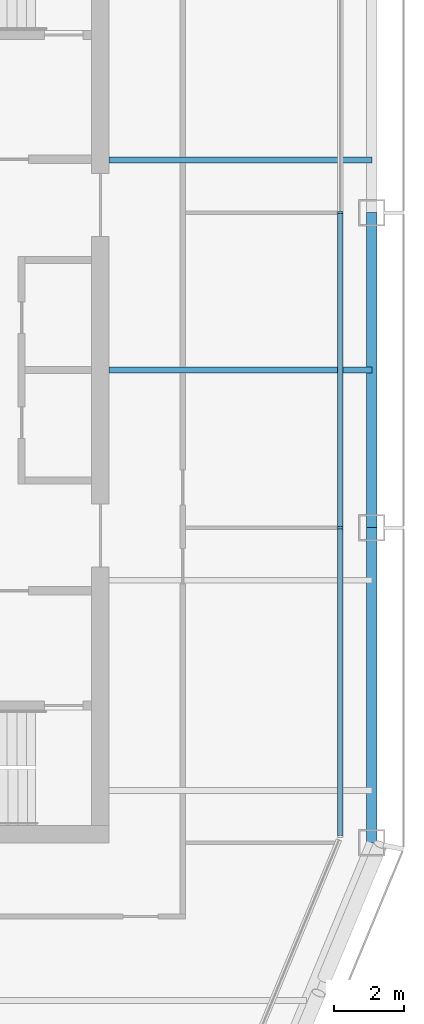
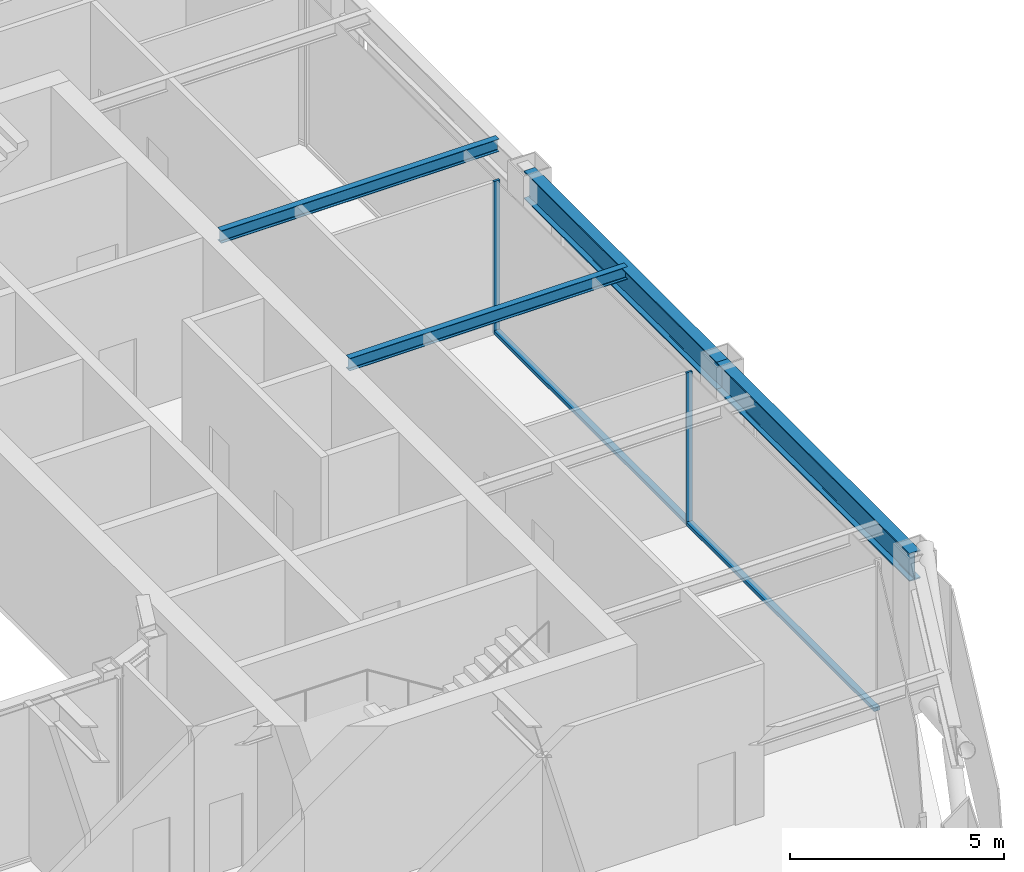
# One storey, part 5 of 21: 4 beams, 4 members, 1 element without a shape of its own.
"""IFC4 building model written with IfcOpenShell, lengths in metres."""

from ifc_helpers import new_model, si_unit, direction, frame, origin, origin_2d, place, context, subcontext, project, spatial, rectangle, i_section, extrude, material, layer, layer_set, material_profile, profile_set, type_object, element, aggregate, save


model = new_model("IFC4")

# Units and contexts
model_context = context("Model", 3, precision=1e-05, world=origin(), true_north=direction((0.0, 1.0)))
body_context = subcontext(model_context, "Body", "Model", "MODEL_VIEW")
ifc_project = project(units=[si_unit("LENGTHUNIT", "METRE"), si_unit("AREAUNIT", "SQUARE_METRE"), si_unit("VOLUMEUNIT", "CUBIC_METRE"), si_unit("PLANEANGLEUNIT", "RADIAN"), si_unit("MASSUNIT", "GRAM", prefix="KILO")], contexts=[model_context])

# Site, building, storey
site_placement = place(None, origin())
site = spatial("IfcSite", under=ifc_project, at=site_placement, CompositionType="ELEMENT")
building_placement = place(site_placement, origin())
building = spatial("IfcBuilding", under=site, at=building_placement, Name="Siwar Civic Tower", CompositionType="ELEMENT")
storey_placement = place(building_placement, frame((0.0, 0.0, 312.199951171875)))
storey = spatial("IfcBuildingStorey", under=building, at=storey_placement, Name="L67", CompositionType="ELEMENT", Elevation=312.199951171875)

# Curtain wall, members
ifc_material_1 = material(Name="Aluminium and glass", Category="aluminium")
ifc_layer = layer(ifc_material_1, 0.159912109375)
ifc_layer_set = layer_set([ifc_layer], Name="Aluminium and glass")
curtain_wall_type = type_object("IfcCurtainWallType", Name="ENV-CW-D", PredefinedType="NOTDEFINED", material=ifc_layer_set)
curtain_wall_placement = place(storey_placement, origin())
curtain_wall = element("IfcCurtainWall", 1, at=curtain_wall_placement, inside=storey, type_object=curtain_wall_type, Name="Curtain wall D E", PredefinedType="NOTDEFINED")
ifc_material_2 = material(Name="Aluminium 6063-T6", Category="aluminium")
ifc_material_profile_1 = material_profile(ifc_material_2, rectangle(XDim=0.159912109375, YDim=0.06005859375, at=origin_2d()), Name="AL 160x60")
ifc_profile_set_1 = profile_set([ifc_material_profile_1], Name="Aluminium 6063-T6")
member_type_1 = type_object("IfcMemberType", Name="ENV-MULLION-D", PredefinedType="MULLION", material=ifc_profile_set_1)
member_1_placement = place(storey_placement, frame((23.85009765625, -4.5, 0.0), z_axis=(0.0, 0.0, 1.0), x_axis=(-1.0, 0.0, 0.0)))
member_1 = element("IfcMember", 2, at=member_1_placement, type_object=member_type_1, Name="Mullion D E 2", PredefinedType="MULLION", context=body_context, shape_type="SweptSolid", body=[
    extrude(rectangle(XDim=0.159912109375, YDim=0.06005859375, at=origin_2d()), origin(), (0.0, 0.0, 1.0), 4.35009765625),
])
member_2_placement = place(storey_placement, frame((23.85009765625, 4.5, 0.0), z_axis=(0.0, 0.0, 1.0), x_axis=(-1.0, 0.0, 0.0)))
member_2 = element("IfcMember", 3, at=member_2_placement, type_object=member_type_1, Name="Mullion D E 3", PredefinedType="MULLION", context=body_context, shape_type="SweptSolid", body=[
    extrude(rectangle(XDim=0.159912109375, YDim=0.06005859375, at=origin_2d()), origin(), (0.0, 0.0, 1.0), 4.35009765625),
])
ifc_material_3 = material(Name="Aluminium 6063-T6", Category="aluminium")
ifc_material_profile_2 = material_profile(ifc_material_3, rectangle(XDim=0.159912109375, YDim=0.10009765625, at=origin_2d()), Name="AL 160x100")
ifc_profile_set_2 = profile_set([ifc_material_profile_2], Name="Aluminium 6063-T6")
member_type_2 = type_object("IfcMemberType", Name="ENV-TRANSOM-D", PredefinedType="USERDEFINED", material=ifc_profile_set_2)
member_3_placement = place(storey_placement, frame((23.85009765625, -13.291015625, 0.050048828125), z_axis=(0.0, 1.0, 0.0), x_axis=(-1.0, 0.0, 0.0)))
member_3 = element("IfcMember", 4, at=member_3_placement, type_object=member_type_2, Name="Transom D E 1", ObjectType="TRANSOM", PredefinedType="USERDEFINED", context=body_context, shape_type="SweptSolid", body=[
    extrude(rectangle(XDim=0.159912109375, YDim=0.10009765625, at=origin_2d()), origin(), (0.0, 0.0, 1.0), 8.760986328125),
])
member_4_placement = place(storey_placement, frame((23.85009765625, -4.469970703125, 0.050048828125), z_axis=(0.0, 1.0, 0.0), x_axis=(-1.0, 0.0, 0.0)))
member_4 = element("IfcMember", 5, at=member_4_placement, type_object=member_type_2, Name="Transom D E 2", ObjectType="TRANSOM", PredefinedType="USERDEFINED", context=body_context, shape_type="SweptSolid", body=[
    extrude(rectangle(XDim=0.159912109375, YDim=0.10009765625, at=origin_2d()), origin(), (0.0, 0.0, 1.0), 8.93994140625),
])
aggregate(curtain_wall, [member_1, member_2, member_3, member_4])

# Beams
ifc_material_4 = material(Name="Steel S355", Category="steel")
ifc_material_profile_3 = material_profile(ifc_material_4, i_section(OverallWidth=0.169921875, OverallDepth=0.360107421875, WebThickness=0.008056640625, FlangeThickness=0.0126953125, FilletRadius=0.01806640625, at=origin_2d()), Name="IPE360")
ifc_profile_set_3 = profile_set([ifc_material_profile_3], Name="Steel S355")
beam_type_1 = type_object("IfcBeamType", Name="STR-FB-IPE360", PredefinedType="JOIST", material=ifc_profile_set_3)
for number, where, z_axis, x_axis, name in (
    (6, (17.25, 0.0, 4.170166015625), (1.0, 0.0, 0.0), (0.0, 1.0, 0.0), "L67/bm/F019"),
    (7, (17.25, 6.0, 4.170166015625), (1.0, 0.0, 0.0), (0.0, 1.0, 0.0), "L67/bm/F021"),
):
    element("IfcBeam", number, at=place(storey_placement, frame(where, z_axis=z_axis, x_axis=x_axis)), inside=storey, type_object=beam_type_1, Name=name, PredefinedType="JOIST", context=body_context, shape_type="SweptSolid", body=[
        extrude(i_section(OverallWidth=0.169921875, OverallDepth=0.360107421875, WebThickness=0.008056640625, FlangeThickness=0.0126953125, FilletRadius=0.01806640625, at=origin_2d()), origin(), (0.0, 0.0, 1.0), 7.5),
    ])
ifc_material_5 = material(Name="Steel S355", Category="steel")
ifc_material_profile_4 = material_profile(ifc_material_5, i_section(OverallWidth=0.300048828125, OverallDepth=0.800048828125, WebThickness=0.017578125, FlangeThickness=0.032958984375, FilletRadius=0.030029296875, at=origin_2d()), Name="HEB800")
ifc_profile_set_4 = profile_set([ifc_material_profile_4], Name="Steel S355")
beam_type_2 = type_object("IfcBeamType", Name="STR-SB-HEB800", PredefinedType="BEAM", material=ifc_profile_set_4)
for number, where, z_axis, x_axis, name in (
    (8, (24.75, -13.5, 3.949951171875), (0.0, 1.0, 0.0), (-1.0, 0.0, 0.0), "L67/bm/SE-0"),
    (9, (24.75, -4.5, 3.949951171875), (0.0, 1.0, 0.0), (-1.0, 0.0, 0.0), "L67/bm/SE-1"),
):
    element("IfcBeam", number, at=place(storey_placement, frame(where, z_axis=z_axis, x_axis=x_axis)), inside=storey, type_object=beam_type_2, Name=name, PredefinedType="BEAM", context=body_context, shape_type="SweptSolid", body=[
        extrude(i_section(OverallWidth=0.300048828125, OverallDepth=0.800048828125, WebThickness=0.017578125, FlangeThickness=0.032958984375, FilletRadius=0.030029296875, at=origin_2d()), origin(), (0.0, 0.0, 1.0), 9.0),
    ])

save(model, "model.ifc")
